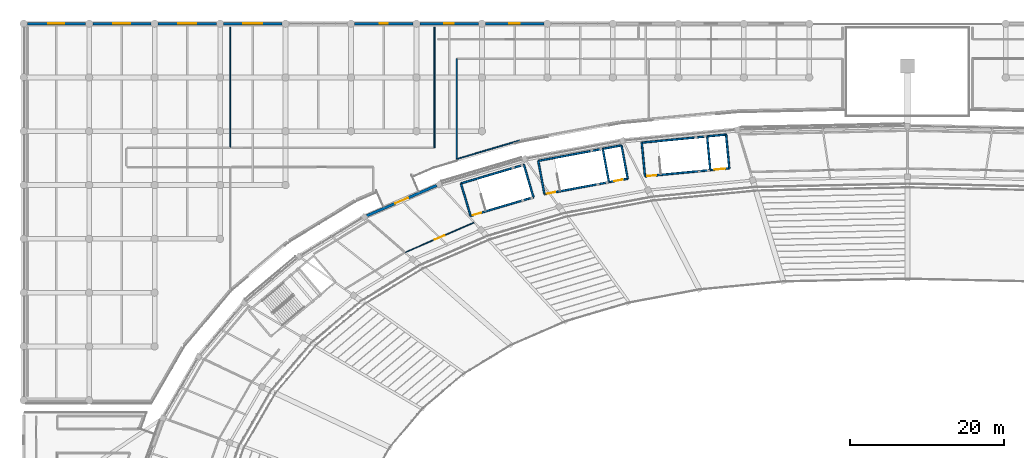
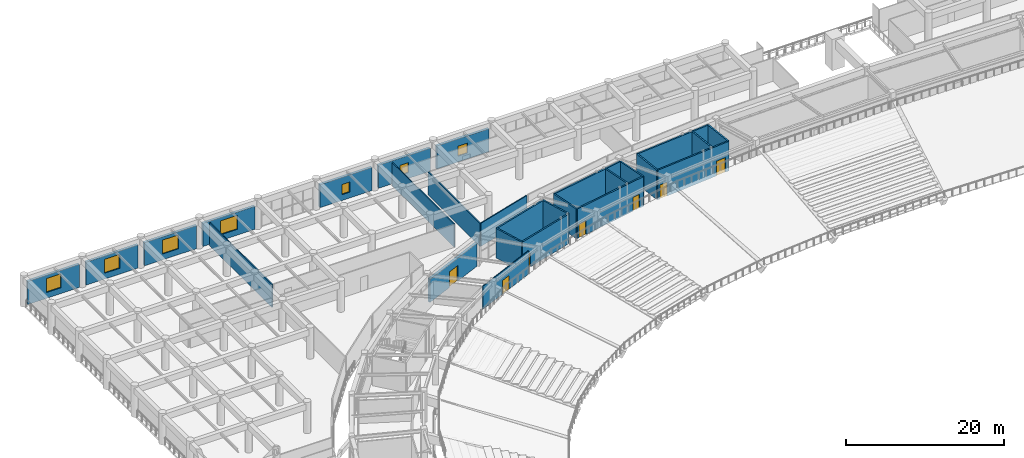
# One storey, part 103 of 137: 27 walls, 7 doors, 7 windows, 14 openings.
"""IFC4 building model written with IfcOpenShell, lengths in metres."""

import ifcopenshell
import ifcopenshell.guid

model = None  # the IFC model being written
_history = None  # IfcOwnerHistory: only IFC2X3 demands one
_inside = {}  # id of a spatial element -> (the spatial element, [elements in it])
_under = {}  # id of a project, library or spatial element -> (it, [spatial elements below it])
_declared = {}  # id of a project -> (the project, [libraries it declares])
_typed = {}  # id of a type object -> (the type object, [elements of that type])
_made_of = {}  # id of a material, layer set ... -> (it, [elements and type objects made of it])


def new_model(schema):
    """Start an empty IFC model of exactly this schema.

    Asked for "IFC4X3", IfcOpenShell would pick the latest addendum, in which some entities
    have other attributes; the version numbers below select the first issue.
    IFC2X3 requires an IfcOwnerHistory on every rooted entity: one is made here for all.
    """
    global model, _history
    if schema == "IFC4X3":
        model = ifcopenshell.file(schema_version=(4, 3, 0, 0))
    else:
        model = ifcopenshell.file(schema=schema)
    _inside.clear()
    _under.clear()
    _declared.clear()
    _typed.clear()
    _made_of.clear()
    _history = None
    if model.schema == "IFC2X3":
        org = make("IfcOrganization", Name="unknown")
        user = make(
            "IfcPersonAndOrganization",
            ThePerson=make("IfcPerson", FamilyName="unknown"),
            TheOrganization=org,
        )
        app = make(
            "IfcApplication",
            ApplicationDeveloper=org,
            Version="unknown",
            ApplicationFullName="unknown",
            ApplicationIdentifier="unknown",
        )
        _history = make(
            "IfcOwnerHistory",
            OwningUser=user,
            OwningApplication=app,
            ChangeAction="ADDED",
            CreationDate=0,
        )
    return model


def make(cls, **values):
    """One entity of the class cls with the attributes given. An attribute that is None is left unset."""
    return model.create_entity(
        cls, **{name: value for name, value in values.items() if value is not None}
    )


def rooted(cls, **values):
    """An entity with a GlobalId (a new one), such as an element, a storey or a relation."""
    return make(cls, GlobalId=ifcopenshell.guid.new(), OwnerHistory=_history, **values)


def si_unit(unit_type, name, prefix=None):
    """IfcSIUnit, for example si_unit("LENGTHUNIT", "METRE", prefix="MILLI")."""
    return make("IfcSIUnit", UnitType=unit_type, Prefix=prefix, Name=name)


def assignment(units):
    """IfcUnitAssignment: the units of a project."""
    return None if units is None else make("IfcUnitAssignment", Units=units)


def point(xyz):
    """IfcCartesianPoint."""
    return None if xyz is None else make("IfcCartesianPoint", Coordinates=xyz)


def direction(xyz):
    """IfcDirection."""
    return None if xyz is None else make("IfcDirection", DirectionRatios=xyz)


def frame(location, z_axis=None, x_axis=None):
    """IfcAxis2Placement3D, a coordinate frame: its origin and axes. An axis left out is left unset."""
    return make(
        "IfcAxis2Placement3D",
        Location=point(location),
        Axis=direction(z_axis),
        RefDirection=direction(x_axis),
    )


def frame_2d(location, x_axis=None):
    """IfcAxis2Placement2D, a coordinate frame in the plane: its origin and x axis."""
    return make(
        "IfcAxis2Placement2D", Location=point(location), RefDirection=direction(x_axis)
    )


def origin():
    """The frame at (0, 0, 0) with its axes left unset."""
    return frame((0.0, 0.0, 0.0))


def place(relative_to, where):
    """IfcLocalPlacement: puts the frame where relative to a parent placement (None: the world)."""
    return make(
        "IfcLocalPlacement", PlacementRelTo=relative_to, RelativePlacement=where
    )


def context(
    kind, dimensions, precision=None, world=None, true_north=None, identifier=None
):
    """IfcGeometricRepresentationContext, for example the 3D "Model" context."""
    return make(
        "IfcGeometricRepresentationContext",
        ContextIdentifier=identifier,
        ContextType=kind,
        CoordinateSpaceDimension=dimensions,
        Precision=precision,
        WorldCoordinateSystem=world,
        TrueNorth=true_north,
    )


def subcontext(parent, identifier, kind, view, scale=None):
    """IfcGeometricRepresentationSubContext, for example "Body" below "Model"."""
    return make(
        "IfcGeometricRepresentationSubContext",
        ContextIdentifier=identifier,
        ContextType=kind,
        ParentContext=parent,
        TargetScale=scale,
        TargetView=view,
    )


def project(units=None, contexts=None):
    """IfcProject with its units and contexts."""
    return rooted(
        "IfcProject",
        Name="project",
        RepresentationContexts=contexts,
        UnitsInContext=assignment(units),
    )


def spatial(cls, under=None, at=None, **own):
    """A site, building, storey or space (cls), placed at a placement, below another one or the project."""
    s = rooted(cls, ObjectPlacement=at, **own)
    if under is not None:
        _under.setdefault(under.id(), (under, []))[1].append(s)
    return s


def profile(cls, at=None, kind="AREA", **sizes):
    """A parametric profile (cls). Its sizes go by their IFC names, for example OverallWidth=200.0."""
    return make(cls, ProfileType=kind, Position=at, **sizes)


def rectangle(**sizes):
    """IfcRectangleProfileDef."""
    return profile("IfcRectangleProfileDef", **sizes)


def extrude(swept, where, along, depth):
    """IfcExtrudedAreaSolid: the profile swept, set in the frame where, extruded along a direction by depth."""
    return make(
        "IfcExtrudedAreaSolid",
        SweptArea=swept,
        Position=where,
        ExtrudedDirection=direction(along),
        Depth=depth,
    )


def shape(context_of_items, identifier, shape_type, items):
    """IfcShapeRepresentation: the items that make up one representation, for example the "Body"."""
    return make(
        "IfcShapeRepresentation",
        ContextOfItems=context_of_items,
        RepresentationIdentifier=identifier,
        RepresentationType=shape_type,
        Items=items,
    )


def material(Name=None, Category=None):
    """IfcMaterial."""
    return make("IfcMaterial", Name=Name, Category=Category)


def layer(
    of_material, thickness, ventilated=None, Name=None, Category=None, Priority=None
):
    """IfcMaterialLayer: one layer of a wall or slab, of a material (None: an air gap)."""
    return make(
        "IfcMaterialLayer",
        Material=of_material,
        LayerThickness=thickness,
        IsVentilated=ventilated,
        Name=Name,
        Category=Category,
        Priority=Priority,
    )


def layer_set(layers, Name=None):
    """IfcMaterialLayerSet."""
    return make("IfcMaterialLayerSet", MaterialLayers=layers, LayerSetName=Name)


def made_of(thing, what):
    """Note that an element or type object is made of a material, layer set ...; save() writes the relation."""
    if what is not None:
        _made_of.setdefault(what.id(), (what, []))[1].append(thing)
    return thing


def type_object(cls, material=None, **own):
    """A type object (cls), such as IfcWallType, which elements share."""
    return made_of(rooted(cls, **own), material)


def element(
    cls,
    number,
    at=None,
    inside=None,
    cuts=None,
    type_object=None,
    material=None,
    context=None,
    identifier="Body",
    shape_type=None,
    held_by="IfcProductDefinitionShape",
    body=None,
    shapes=None,
    **own,
):
    """One element of the class cls, such as IfcWall. Its Tag is "e" and its number.

    at: its placement. inside: the storey or other place that contains it. cuts: it is an
    opening in that element (IfcRelVoidsElement). A single representation is given by context,
    identifier, shape_type and body (its items); several are given by shapes. held_by: the class
    of the entity that holds the representations. save() writes the other relations.
    """
    e = rooted(cls, Tag="e%d" % number, ObjectPlacement=at, **own)
    if body is not None:
        shapes = [shape(context, identifier, shape_type, body)]
    if shapes is not None:
        e.Representation = make(held_by, Representations=shapes)
    if inside is not None:
        _inside.setdefault(inside.id(), (inside, []))[1].append(e)
    if cuts is not None:
        rooted(
            "IfcRelVoidsElement", RelatingBuildingElement=cuts, RelatedOpeningElement=e
        )
    if type_object is not None:
        _typed.setdefault(type_object.id(), (type_object, []))[1].append(e)
    return made_of(e, material)


def fill(opening, filler):
    """IfcRelFillsElement: the door or window that sits in an opening."""
    return rooted(
        "IfcRelFillsElement",
        RelatingOpeningElement=opening,
        RelatedBuildingElement=filler,
    )


def aggregate(whole, parts):
    """IfcRelAggregates: a whole, such as a stair, and the parts it consists of."""
    return rooted("IfcRelAggregates", RelatingObject=whole, RelatedObjects=parts)


def save(model, path):
    """Write the relations noted so far, then the file.

    IfcRelAggregates (storeys below a building ...), IfcRelContainedInSpatialStructure (elements
    in a storey), IfcRelDefinesByType, IfcRelAssociatesMaterial and IfcRelDeclares: one each for
    every whole, place, type object, material and project.
    """
    for whole, parts in _under.values():
        aggregate(whole, parts)
    for where, things in _inside.values():
        rooted(
            "IfcRelContainedInSpatialStructure",
            RelatedElements=things,
            RelatingStructure=where,
        )
    for kind, things in _typed.values():
        rooted("IfcRelDefinesByType", RelatedObjects=things, RelatingType=kind)
    for what, things in _made_of.values():
        rooted("IfcRelAssociatesMaterial", RelatedObjects=things, RelatingMaterial=what)
    for by, libraries in _declared.values():
        rooted("IfcRelDeclares", RelatingContext=by, RelatedDefinitions=libraries)
    model.write(path)


model = new_model("IFC4")

# Units and contexts
model_context = context("Model", 3, precision=1e-05, world=origin(), true_north=direction((0.0, 1.0)))
body_context = subcontext(model_context, "Body", "Model", "MODEL_VIEW")
ifc_project = project(units=[si_unit("LENGTHUNIT", "METRE"), si_unit("AREAUNIT", "SQUARE_METRE"), si_unit("VOLUMEUNIT", "CUBIC_METRE"), si_unit("PLANEANGLEUNIT", "RADIAN"), si_unit("MASSUNIT", "GRAM", prefix="KILO")], contexts=[model_context])

# Site, building, storey
site_placement = place(None, origin())
site = spatial("IfcSite", under=ifc_project, at=site_placement, CompositionType="ELEMENT")
building_placement = place(site_placement, origin())
building = spatial("IfcBuilding", under=site, at=building_placement, Name="Mphavela Belvedere Stadium", CompositionType="ELEMENT")
storey_placement = place(building_placement, frame((0.0, 0.0, 19.199951171875)))
storey = spatial("IfcBuildingStorey", under=building, at=storey_placement, Name="L04", CompositionType="ELEMENT", Elevation=19.199951171875)

# Walls
ifc_material_1 = material(Name="Concrete C40/50", Category="concrete")
ifc_layer_1 = layer(ifc_material_1, 0.219970703125)
ifc_layer_set_1 = layer_set([ifc_layer_1], Name="Concrete C40/50")
wall_type_1 = type_object("IfcWallType", Name="WAL-CORE-SHEAR-220", PredefinedType="SHEAR", material=ifc_layer_set_1)
wall_1_placement = place(storey_placement, frame((66.955322265625, 156.146728515625, 0.0), z_axis=(0.0, 0.0, 1.0), x_axis=(0.983093434234, 0.183104613723, 0.0)))
element("IfcWall", 1, at=wall_1_placement, inside=storey, type_object=wall_type_1, Name="Core C02 shear wall L04 rear", PredefinedType="SHEAR", context=body_context, shape_type="SweptSolid", body=[
    extrude(rectangle(XDim=11.02001953125, YDim=0.219970703125, at=frame_2d((5.510009765625, 0.0))), origin(), (0.0, 0.0, 1.0), 4.550048828125),
])
for number, where, z_axis, x_axis, name in (
    (2, (67.7626953125, 151.811279296875, 0.0), (0.0, 0.0, 1.0), (-0.183078394814, 0.983098317236, 0.0), "Core C02 shear wall L04 left"),
    (3, (78.596435546875, 153.8291015625, 0.0), (0.0, 0.0, 1.0), (-0.183078394814, 0.983098317236, 0.0), "Core C02 shear wall L04 right"),
):
    element("IfcWall", number, at=place(storey_placement, frame(where, z_axis=z_axis, x_axis=x_axis)), inside=storey, type_object=wall_type_1, Name=name, PredefinedType="SHEAR", context=body_context, shape_type="SweptSolid", body=[
        extrude(rectangle(XDim=4.409912109375, YDim=0.219970703125, at=frame_2d((2.205078125, 0.0))), origin(), (0.0, 0.0, 1.0), 4.550048828125),
    ])

# Wall, openings, doors
wall_2_placement = place(storey_placement, frame((67.7626953125, 151.811279296875, 0.0), z_axis=(0.0, 0.0, 1.0), x_axis=(0.983093434234, 0.183104613723, 0.0)))
wall_2 = element("IfcWall", 4, at=wall_2_placement, inside=storey, type_object=wall_type_1, Name="Core C02 shear wall L04 front", PredefinedType="SHEAR", context=body_context, shape_type="SweptSolid", body=[
    extrude(rectangle(XDim=11.02001953125, YDim=0.219970703125, at=frame_2d((5.510009765625, 0.0))), origin(), (0.0, 0.0, 1.0), 4.550048828125),
])
opening_1_placement = place(wall_2_placement, frame((0.300048828125, 0.0, 0.0)))
opening_1 = element("IfcOpeningElement", 5, at=opening_1_placement, cuts=wall_2, Name="Opening SD-010", PredefinedType="OPENING", context=body_context, shape_type="SweptSolid", body=[
    extrude(rectangle(XDim=1.14990234375, YDim=2.14990234375, at=frame_2d((0.574951171875, 1.074951171875))), frame((0.0, 0.1201171875, 0.0), z_axis=(0.0, -1.0, 0.0), x_axis=(1.0, 0.0, 0.0)), (0.0, 0.0, 1.0), 0.239990234375),
])
opening_2_placement = place(wall_2_placement, frame((9.22998046875, 0.0, 0.0)))
opening_2 = element("IfcOpeningElement", 6, at=opening_2_placement, cuts=wall_2, Name="Opening LD-010", PredefinedType="OPENING", context=body_context, shape_type="SweptSolid", body=[
    extrude(rectangle(XDim=1.10009765625, YDim=2.14990234375, at=frame_2d((0.550048828125, 1.074951171875))), frame((0.0, 0.1201171875, 0.0), z_axis=(0.0, -1.0, 0.0), x_axis=(1.0, 0.0, 0.0)), (0.0, 0.0, 1.0), 0.239990234375),
])
ifc_material_2 = material(Name="Stainless steel center-parting lift landing door", Category="steel")
door_type_1 = type_object("IfcDoorType", Name="DR-LIFT-SLIDE-1100", OperationType="NOTDEFINED", PredefinedType="DOOR", material=ifc_material_2)
door_1_placement = place(opening_2_placement, origin())
door_1 = element("IfcDoor", 7, at=door_1_placement, inside=storey, type_object=door_type_1, Name="Lift landing sliding door PL01 L04", OperationType="DOUBLE_DOOR_SLIDING", OverallHeight=2.14990234375, OverallWidth=1.10009765625, PredefinedType="DOOR", context=body_context, shape_type="SweptSolid", body=[
    extrude(rectangle(XDim=1.10009765625, YDim=2.14990234375, at=frame_2d((0.550048828125, 1.074951171875))), frame((0.0, 0.02490234375, 0.0), z_axis=(0.0, -1.0, 0.0), x_axis=(1.0, 0.0, 0.0)), (0.0, 0.0, 1.0), 0.050048828125),
])
fill(opening_2, door_1)
ifc_material_3 = material(Name="Steel acoustic fire-resisting stair doorset", Category="steel")
door_type_2 = type_object("IfcDoorType", Name="DR-STAIR-FIRE-1150", OperationType="NOTDEFINED", PredefinedType="DOOR", material=ifc_material_3)
door_2_placement = place(opening_1_placement, origin())
door_2 = element("IfcDoor", 8, at=door_2_placement, inside=storey, type_object=door_type_2, Name="Escape stair fire door C02 L04", OperationType="SINGLE_SWING_LEFT", OverallHeight=2.14990234375, OverallWidth=1.14990234375, PredefinedType="DOOR", context=body_context, shape_type="SweptSolid", body=[
    extrude(rectangle(XDim=1.14990234375, YDim=2.14990234375, at=frame_2d((0.574951171875, 1.074951171875))), frame((0.0, 0.02490234375, 0.0), z_axis=(0.0, -1.0, 0.0), x_axis=(1.0, 0.0, 0.0)), (0.0, 0.0, 1.0), 0.050048828125),
])
fill(opening_1, door_2)

# Walls
wall_3_placement = place(storey_placement, frame((76.158447265625, 153.375, 0.0), z_axis=(0.0, 0.0, 1.0), x_axis=(-0.183078394814, 0.983098317236, 0.0)))
element("IfcWall", 9, at=wall_3_placement, inside=storey, type_object=wall_type_1, Name="Core C02 shear wall L04 div", PredefinedType="SHEAR", context=body_context, shape_type="SweptSolid", body=[
    extrude(rectangle(XDim=4.409912109375, YDim=0.219970703125, at=frame_2d((2.205078125, 0.0))), origin(), (0.0, 0.0, 1.0), 4.550048828125),
])
wall_4_placement = place(storey_placement, frame((80.424072265625, 158.5205078125, 0.0), z_axis=(0.0, 0.0, 1.0), x_axis=(0.99547962713, 0.094975322952, 0.0)))
element("IfcWall", 10, at=wall_4_placement, inside=storey, type_object=wall_type_1, Name="Core C04 shear wall L04 rear", PredefinedType="SHEAR", context=body_context, shape_type="SweptSolid", body=[
    extrude(rectangle(XDim=11.02001953125, YDim=0.219970703125, at=frame_2d((5.510009765625, 0.0))), origin(), (0.0, 0.0, 1.0), 4.550048828125),
])
for number, where, z_axis, x_axis, name in (
    (11, (80.843017578125, 154.13037109375, 0.0), (0.0, 0.0, 1.0), (-0.094997189401, 0.995477540684, 0.0), "Core C04 shear wall L04 left"),
    (12, (91.81298828125, 155.177001953125, 0.0), (0.0, 0.0, 1.0), (-0.094942328893, 0.995482774429, 0.0), "Core C04 shear wall L04 right"),
):
    element("IfcWall", number, at=place(storey_placement, frame(where, z_axis=z_axis, x_axis=x_axis)), inside=storey, type_object=wall_type_1, Name=name, PredefinedType="SHEAR", context=body_context, shape_type="SweptSolid", body=[
        extrude(rectangle(XDim=4.41015625, YDim=0.219970703125, at=frame_2d((2.205078125, 0.0))), origin(), (0.0, 0.0, 1.0), 4.550048828125),
    ])

# Wall, openings, doors
wall_5_placement = place(storey_placement, frame((80.843017578125, 154.13037109375, 0.0), z_axis=(0.0, 0.0, 1.0), x_axis=(0.995479427285, 0.094977417594, 0.0)))
wall_5 = element("IfcWall", 13, at=wall_5_placement, inside=storey, type_object=wall_type_1, Name="Core C04 shear wall L04 front", PredefinedType="SHEAR", context=body_context, shape_type="SweptSolid", body=[
    extrude(rectangle(XDim=11.019775390625, YDim=0.219970703125, at=frame_2d((5.509765625, 0.0))), origin(), (0.0, 0.0, 1.0), 4.550048828125),
])
opening_3_placement = place(wall_5_placement, frame((0.300048828125, 0.0, 0.0)))
opening_3 = element("IfcOpeningElement", 14, at=opening_3_placement, cuts=wall_5, Name="Opening SD-020", PredefinedType="OPENING", context=body_context, shape_type="SweptSolid", body=[
    extrude(rectangle(XDim=1.14990234375, YDim=2.14990234375, at=frame_2d((0.574951171875, 1.074951171875))), frame((0.0, 0.1201171875, 0.0), z_axis=(0.0, -1.0, 0.0), x_axis=(1.0, 0.0, 0.0)), (0.0, 0.0, 1.0), 0.239990234375),
])
opening_4_placement = place(wall_5_placement, frame((9.080078125, 0.0, 0.0)))
opening_4 = element("IfcOpeningElement", 15, at=opening_4_placement, cuts=wall_5, Name="Opening LD-020", PredefinedType="OPENING", context=body_context, shape_type="SweptSolid", body=[
    extrude(rectangle(XDim=1.39990234375, YDim=2.25, at=frame_2d((0.699951171875, 1.125))), frame((0.0, 0.1201171875, 0.0), z_axis=(0.0, -1.0, 0.0), x_axis=(1.0, 0.0, 0.0)), (0.0, 0.0, 1.0), 0.239990234375),
])
ifc_material_4 = material(Name="Heavy-duty stainless steel goods lift landing door", Category="steel")
door_type_3 = type_object("IfcDoorType", Name="DR-LIFT-SLIDE-1400", OperationType="NOTDEFINED", PredefinedType="DOOR", material=ifc_material_4)
door_3_placement = place(opening_4_placement, origin())
door_3 = element("IfcDoor", 16, at=door_3_placement, inside=storey, type_object=door_type_3, Name="Lift landing sliding door GL01 L04", OperationType="DOUBLE_DOOR_SLIDING", OverallHeight=2.25, OverallWidth=1.39990234375, PredefinedType="DOOR", context=body_context, shape_type="SweptSolid", body=[
    extrude(rectangle(XDim=1.39990234375, YDim=2.25, at=frame_2d((0.699951171875, 1.125))), frame((0.0, 0.02490234375, 0.0), z_axis=(0.0, -1.0, 0.0), x_axis=(1.0, 0.0, 0.0)), (0.0, 0.0, 1.0), 0.050048828125),
])
fill(opening_4, door_3)
door_4_placement = place(opening_3_placement, origin())
door_4 = element("IfcDoor", 17, at=door_4_placement, inside=storey, type_object=door_type_2, Name="Escape stair fire door C04 L04", OperationType="SINGLE_SWING_RIGHT", OverallHeight=2.14990234375, OverallWidth=1.14990234375, PredefinedType="DOOR", context=body_context, shape_type="SweptSolid", body=[
    extrude(rectangle(XDim=1.14990234375, YDim=2.14990234375, at=frame_2d((0.574951171875, 1.074951171875))), frame((0.0, 0.02490234375, 0.0), z_axis=(0.0, -1.0, 0.0), x_axis=(1.0, 0.0, 0.0)), (0.0, 0.0, 1.0), 0.050048828125),
])
fill(opening_3, door_4)

# Walls
wall_6_placement = place(storey_placement, frame((89.34423828125, 154.94140625, 0.0), z_axis=(0.0, 0.0, 1.0), x_axis=(-0.094942328893, 0.995482774429, 0.0)))
element("IfcWall", 18, at=wall_6_placement, inside=storey, type_object=wall_type_1, Name="Core C04 shear wall L04 div", PredefinedType="SHEAR", context=body_context, shape_type="SweptSolid", body=[
    extrude(rectangle(XDim=4.41015625, YDim=0.219970703125, at=frame_2d((2.205078125, 0.0))), origin(), (0.0, 0.0, 1.0), 4.550048828125),
])
wall_7_placement = place(storey_placement, frame((56.89501953125, 153.214111328125, 0.0), z_axis=(0.0, 0.0, 1.0), x_axis=(0.958675743706, 0.284500998997, 0.0)))
element("IfcWall", 19, at=wall_7_placement, inside=storey, type_object=wall_type_1, Name="Core P03 shear wall L04 rear", PredefinedType="SHEAR", context=body_context, shape_type="SweptSolid", body=[
    extrude(rectangle(XDim=8.540283203125, YDim=0.219970703125, at=frame_2d((4.27001953125, 0.0))), origin(), (0.0, 0.0, 1.0), 4.550048828125),
])
wall_8_placement = place(storey_placement, frame((58.14990234375, 148.986083984375, 0.0), z_axis=(0.0, 0.0, 1.0), x_axis=(-0.284533106789, 0.958666214665, 0.0)))
element("IfcWall", 20, at=wall_8_placement, inside=storey, type_object=wall_type_1, Name="Core P03 shear wall L04 left", PredefinedType="SHEAR", context=body_context, shape_type="SweptSolid", body=[
    extrude(rectangle(XDim=4.410400390625, YDim=0.219970703125, at=frame_2d((2.205078125, 0.0))), origin(), (0.0, 0.0, 1.0), 4.550048828125),
])
wall_9_placement = place(storey_placement, frame((66.3369140625, 151.416015625, 0.0), z_axis=(0.0, 0.0, 1.0), x_axis=(-0.284497328872, 0.958676832861, 0.0)))
element("IfcWall", 21, at=wall_9_placement, inside=storey, type_object=wall_type_1, Name="Core P03 shear wall L04 right", PredefinedType="SHEAR", context=body_context, shape_type="SweptSolid", body=[
    extrude(rectangle(XDim=4.409912109375, YDim=0.219970703125, at=frame_2d((2.205078125, 0.0))), origin(), (0.0, 0.0, 1.0), 4.550048828125),
])

# Wall, opening, door
wall_10_placement = place(storey_placement, frame((58.14990234375, 148.986083984375, 0.0), z_axis=(0.0, 0.0, 1.0), x_axis=(0.958665631999, 0.284535069937, 0.0)))
wall_10 = element("IfcWall", 22, at=wall_10_placement, inside=storey, type_object=wall_type_1, Name="Core P03 shear wall L04 front", PredefinedType="SHEAR", context=body_context, shape_type="SweptSolid", body=[
    extrude(rectangle(XDim=8.5400390625, YDim=0.219970703125, at=frame_2d((4.27001953125, 0.0))), origin(), (0.0, 0.0, 1.0), 4.550048828125),
])
opening_5_placement = place(wall_10_placement, frame((0.300048828125, 0.0, 0.0)))
opening_5 = element("IfcOpeningElement", 23, at=opening_5_placement, cuts=wall_10, Name="Opening SD-081", PredefinedType="OPENING", context=body_context, shape_type="SweptSolid", body=[
    extrude(rectangle(XDim=1.14990234375, YDim=2.14990234375, at=frame_2d((0.574951171875, 1.074951171875))), frame((0.0, 0.1201171875, 0.0), z_axis=(0.0, -1.0, 0.0), x_axis=(1.0, 0.0, 0.0)), (0.0, 0.0, 1.0), 0.239990234375),
])
door_5_placement = place(opening_5_placement, origin())
door_5 = element("IfcDoor", 24, at=door_5_placement, inside=storey, type_object=door_type_2, Name="Escape stair fire door P03 L04", OperationType="SINGLE_SWING_LEFT", OverallHeight=2.14990234375, OverallWidth=1.14990234375, PredefinedType="DOOR", context=body_context, shape_type="SweptSolid", body=[
    extrude(rectangle(XDim=1.14990234375, YDim=2.14990234375, at=frame_2d((0.574951171875, 1.074951171875))), frame((0.0, 0.02490234375, 0.0), z_axis=(0.0, -1.0, 0.0), x_axis=(1.0, 0.0, 0.0)), (0.0, 0.0, 1.0), 0.050048828125),
])
fill(opening_5, door_5)

ifc_material_5 = material(Name="Honed ashlar limestone masonry", Category="masonry")
ifc_layer_2 = layer(ifc_material_5, 0.35009765625)
ifc_layer_set_2 = layer_set([ifc_layer_2], Name="Honed ashlar limestone masonry")
wall_type_2 = type_object("IfcWallType", Name="WAL-EXT-ASHLAR-350", PredefinedType="STANDARD", material=ifc_layer_set_2)
wall_11_placement = place(storey_placement, frame((44.623046875, 148.999267578125, 0.0), z_axis=(0.0, 0.0, 1.0), x_axis=(0.917498268626, 0.397739773052, 0.0)))
wall_11 = element("IfcWall", 25, at=wall_11_placement, inside=storey, type_object=wall_type_2, Name="Classical link portal wall L04-17", PredefinedType="STANDARD", context=body_context, shape_type="SweptSolid", body=[
    extrude(rectangle(XDim=9.940185546875, YDim=0.35009765625, at=frame_2d((4.97021484375, 0.0))), origin(), (0.0, 0.0, 1.0), 3.570068359375),
])
opening_6_placement = place(wall_11_placement, frame((4.070068359375, 0.0, 0.0)))
opening_6 = element("IfcOpeningElement", 26, at=opening_6_placement, cuts=wall_11, Name="Opening ID-9416", PredefinedType="OPENING", context=body_context, shape_type="SweptSolid", body=[
    extrude(rectangle(XDim=1.800048828125, YDim=2.39990234375, at=frame_2d((0.89990234375, 1.199951171875))), frame((0.0, 0.18505859375, 0.0), z_axis=(0.0, -1.0, 0.0), x_axis=(1.0, 0.0, 0.0)), (0.0, 0.0, 1.0), 0.3701171875),
])
ifc_material_6 = material(Name="Glazed bronze-anodised steel exit doorset", Category="steel")
door_type_4 = type_object("IfcDoorType", Name="DR-EXT-01", OperationType="NOTDEFINED", PredefinedType="DOOR", material=ifc_material_6)
door_6_placement = place(opening_6_placement, origin())
door_6 = element("IfcDoor", 27, at=door_6_placement, inside=storey, type_object=door_type_4, Name="Wing promenade link doorset L04-17", OperationType="DOUBLE_DOOR_SINGLE_SWING", OverallHeight=2.39990234375, OverallWidth=1.800048828125, PredefinedType="DOOR", context=body_context, shape_type="SweptSolid", body=[
    extrude(rectangle(XDim=1.800048828125, YDim=2.39990234375, at=frame_2d((0.89990234375, 1.199951171875))), frame((0.0, 0.02490234375, 0.0), z_axis=(0.0, -1.0, 0.0), x_axis=(1.0, 0.0, 0.0)), (0.0, 0.0, 1.0), 0.050048828125),
])
fill(opening_6, door_6)

# Wall, opening, window
wall_12_placement = place(storey_placement, frame((0.472900390625, 174.0, 0.0), z_axis=(0.0, 0.0, 1.0), x_axis=(1.0, 0.0, 0.0)))
wall_12 = element("IfcWall", 28, at=wall_12_placement, inside=storey, type_object=wall_type_2, Name="North Mast and Ceremonial End Forecourt outer facade bay L04-01", PredefinedType="STANDARD", context=body_context, shape_type="SweptSolid", body=[
    extrude(rectangle(XDim=7.572998046875, YDim=0.35009765625, at=frame_2d((3.78662109375, 0.0))), origin(), (0.0, 0.0, 1.0), 3.56005859375),
])
opening_7_placement = place(wall_12_placement, frame((2.74658203125, 0.0, 0.89990234375)))
opening_7 = element("IfcOpeningElement", 29, at=opening_7_placement, cuts=wall_12, Name="Opening W-217", PredefinedType="OPENING", context=body_context, shape_type="SweptSolid", body=[
    extrude(rectangle(XDim=2.080078125, YDim=2.14990234375, at=frame_2d((1.0400390625, 1.074951171875))), frame((0.0, 0.18505859375, 0.0), z_axis=(0.0, -1.0, 0.0), x_axis=(1.0, 0.0, 0.0)), (0.0, 0.0, 1.0), 0.3701171875),
])
ifc_material_7 = material(Name="Bronze-anodised thermally broken aluminium window", Category="aluminium")
window_type_1 = type_object("IfcWindowType", Name="WIN-EXT-41", PartitioningType="SINGLE_PANEL", PredefinedType="WINDOW", material=ifc_material_7)
window_1_placement = place(opening_7_placement, origin())
window_1 = element("IfcWindow", 30, at=window_1_placement, inside=storey, type_object=window_type_1, Name="North Mast and Ceremonial End Forecourt classical window W-217", OverallHeight=2.14990234375, OverallWidth=2.080078125, PartitioningType="SINGLE_PANEL", PredefinedType="WINDOW", context=body_context, shape_type="SweptSolid", body=[
    extrude(rectangle(XDim=2.080078125, YDim=2.14990234375, at=frame_2d((1.0400390625, 1.074951171875))), frame((0.0, 0.030029296875, 0.0), z_axis=(0.0, -1.0, 0.0), x_axis=(1.0, 0.0, 0.0)), (0.0, 0.0, 1.0), 0.06005859375),
])
fill(opening_7, window_1)

wall_13_placement = place(storey_placement, frame((8.991943359375, 174.0, 0.0), z_axis=(0.0, 0.0, 1.0), x_axis=(1.0, 0.0, 0.0)))
wall_13 = element("IfcWall", 31, at=wall_13_placement, inside=storey, type_object=wall_type_2, Name="North Mast and Ceremonial End Forecourt outer facade bay L04-02", PredefinedType="STANDARD", context=body_context, shape_type="SweptSolid", body=[
    extrude(rectangle(XDim=7.572021484375, YDim=0.35009765625, at=frame_2d((3.7861328125, 0.0))), origin(), (0.0, 0.0, 1.0), 3.56005859375),
])
opening_8_placement = place(wall_13_placement, frame((2.676025390625, 0.0, 0.89990234375)))
opening_8 = element("IfcOpeningElement", 32, at=opening_8_placement, cuts=wall_13, Name="Opening W-218", PredefinedType="OPENING", context=body_context, shape_type="SweptSolid", body=[
    extrude(rectangle(XDim=2.219970703125, YDim=2.14990234375, at=frame_2d((1.10986328125, 1.074951171875))), frame((0.0, 0.18505859375, 0.0), z_axis=(0.0, -1.0, 0.0), x_axis=(1.0, 0.0, 0.0)), (0.0, 0.0, 1.0), 0.3701171875),
])
ifc_material_8 = material(Name="Bronze-anodised thermally broken aluminium window", Category="aluminium")
window_type_2 = type_object("IfcWindowType", Name="WIN-EXT-42", PartitioningType="SINGLE_PANEL", PredefinedType="WINDOW", material=ifc_material_8)
window_2_placement = place(opening_8_placement, origin())
window_2 = element("IfcWindow", 33, at=window_2_placement, inside=storey, type_object=window_type_2, Name="North Mast and Ceremonial End Forecourt classical window W-218", OverallHeight=2.14990234375, OverallWidth=2.219970703125, PartitioningType="SINGLE_PANEL", PredefinedType="WINDOW", context=body_context, shape_type="SweptSolid", body=[
    extrude(rectangle(XDim=2.219970703125, YDim=2.14990234375, at=frame_2d((1.10986328125, 1.074951171875))), frame((0.0, 0.030029296875, 0.0), z_axis=(0.0, -1.0, 0.0), x_axis=(1.0, 0.0, 0.0)), (0.0, 0.0, 1.0), 0.06005859375),
])
fill(opening_8, window_2)

wall_14_placement = place(storey_placement, frame((17.510009765625, 174.0, 0.0), z_axis=(0.0, 0.0, 1.0), x_axis=(1.0, 0.0, 0.0)))
wall_14 = element("IfcWall", 34, at=wall_14_placement, inside=storey, type_object=wall_type_2, Name="North Mast and Ceremonial End Forecourt outer facade bay L04-03", PredefinedType="STANDARD", context=body_context, shape_type="SweptSolid", body=[
    extrude(rectangle(XDim=7.572998046875, YDim=0.35009765625, at=frame_2d((3.78662109375, 0.0))), origin(), (0.0, 0.0, 1.0), 3.56005859375),
])
opening_9_placement = place(wall_14_placement, frame((2.6064453125, 0.0, 0.89990234375)))
opening_9 = element("IfcOpeningElement", 35, at=opening_9_placement, cuts=wall_14, Name="Opening W-219", PredefinedType="OPENING", context=body_context, shape_type="SweptSolid", body=[
    extrude(rectangle(XDim=2.360107421875, YDim=2.14990234375, at=frame_2d((1.18017578125, 1.074951171875))), frame((0.0, 0.18505859375, 0.0), z_axis=(0.0, -1.0, 0.0), x_axis=(1.0, 0.0, 0.0)), (0.0, 0.0, 1.0), 0.3701171875),
])
ifc_material_9 = material(Name="Bronze-anodised thermally broken aluminium window", Category="aluminium")
window_type_3 = type_object("IfcWindowType", Name="WIN-EXT-43", PartitioningType="SINGLE_PANEL", PredefinedType="WINDOW", material=ifc_material_9)
window_3_placement = place(opening_9_placement, origin())
window_3 = element("IfcWindow", 36, at=window_3_placement, inside=storey, type_object=window_type_3, Name="North Mast and Ceremonial End Forecourt classical window W-219", OverallHeight=2.14990234375, OverallWidth=2.360107421875, PartitioningType="SINGLE_PANEL", PredefinedType="WINDOW", context=body_context, shape_type="SweptSolid", body=[
    extrude(rectangle(XDim=2.360107421875, YDim=2.14990234375, at=frame_2d((1.18017578125, 1.074951171875))), frame((0.0, 0.030029296875, 0.0), z_axis=(0.0, -1.0, 0.0), x_axis=(1.0, 0.0, 0.0)), (0.0, 0.0, 1.0), 0.06005859375),
])
fill(opening_9, window_3)

wall_15_placement = place(storey_placement, frame((26.029052734375, 174.0, 0.0), z_axis=(0.0, 0.0, 1.0), x_axis=(1.0, 0.0, 0.0)))
wall_15 = element("IfcWall", 37, at=wall_15_placement, inside=storey, type_object=wall_type_2, Name="North Mast and Ceremonial End Forecourt outer facade bay L04-04", PredefinedType="STANDARD", context=body_context, shape_type="SweptSolid", body=[
    extrude(rectangle(XDim=7.572021484375, YDim=0.35009765625, at=frame_2d((3.7861328125, 0.0))), origin(), (0.0, 0.0, 1.0), 3.56005859375),
])
opening_10_placement = place(wall_15_placement, frame((2.52587890625, 0.0, 0.89990234375)))
opening_10 = element("IfcOpeningElement", 38, at=opening_10_placement, cuts=wall_15, Name="Opening W-220", PredefinedType="OPENING", context=body_context, shape_type="SweptSolid", body=[
    extrude(rectangle(XDim=2.52001953125, YDim=2.14990234375, at=frame_2d((1.260009765625, 1.074951171875))), frame((0.0, 0.18505859375, 0.0), z_axis=(0.0, -1.0, 0.0), x_axis=(1.0, 0.0, 0.0)), (0.0, 0.0, 1.0), 0.3701171875),
])
ifc_material_10 = material(Name="Bronze-anodised thermally broken aluminium window", Category="aluminium")
window_type_4 = type_object("IfcWindowType", Name="WIN-EXT-44", PartitioningType="SINGLE_PANEL", PredefinedType="WINDOW", material=ifc_material_10)
window_4_placement = place(opening_10_placement, origin())
window_4 = element("IfcWindow", 39, at=window_4_placement, inside=storey, type_object=window_type_4, Name="North Mast and Ceremonial End Forecourt classical window W-220", OverallHeight=2.14990234375, OverallWidth=2.52001953125, PartitioningType="SINGLE_PANEL", PredefinedType="WINDOW", context=body_context, shape_type="SweptSolid", body=[
    extrude(rectangle(XDim=2.52001953125, YDim=2.14990234375, at=frame_2d((1.260009765625, 1.074951171875))), frame((0.0, 0.030029296875, 0.0), z_axis=(0.0, -1.0, 0.0), x_axis=(1.0, 0.0, 0.0)), (0.0, 0.0, 1.0), 0.06005859375),
])
fill(opening_10, window_4)

wall_16_placement = place(storey_placement, frame((43.06591796875, 174.0, 0.0), z_axis=(0.0, 0.0, 1.0), x_axis=(1.0, 0.0, 0.0)))
wall_16 = element("IfcWall", 40, at=wall_16_placement, inside=storey, type_object=wall_type_2, Name="North Mast and Ceremonial End Forecourt outer facade bay L04-06", PredefinedType="STANDARD", context=body_context, shape_type="SweptSolid", body=[
    extrude(rectangle(XDim=7.572021484375, YDim=0.35009765625, at=frame_2d((3.7861328125, 0.0))), origin(), (0.0, 0.0, 1.0), 3.56005859375),
])
opening_11_placement = place(wall_16_placement, frame((3.236083984375, 0.0, 0.89990234375)))
opening_11 = element("IfcOpeningElement", 41, at=opening_11_placement, cuts=wall_16, Name="Opening W-221", PredefinedType="OPENING", context=body_context, shape_type="SweptSolid", body=[
    extrude(rectangle(XDim=1.10009765625, YDim=1.550048828125, at=frame_2d((0.550048828125, 0.77490234375))), frame((0.0, 0.18505859375, 0.0), z_axis=(0.0, -1.0, 0.0), x_axis=(1.0, 0.0, 0.0)), (0.0, 0.0, 1.0), 0.3701171875),
])
ifc_material_11 = material(Name="Bronze-anodised thermally broken aluminium window", Category="aluminium")
window_type_5 = type_object("IfcWindowType", Name="WIN-EXT-01", PartitioningType="SINGLE_PANEL", PredefinedType="WINDOW", material=ifc_material_11)
window_5_placement = place(opening_11_placement, origin())
window_5 = element("IfcWindow", 42, at=window_5_placement, inside=storey, type_object=window_type_5, Name="North Mast and Ceremonial End Forecourt classical window W-221", OverallHeight=1.550048828125, OverallWidth=1.10009765625, PartitioningType="SINGLE_PANEL", PredefinedType="WINDOW", context=body_context, shape_type="SweptSolid", body=[
    extrude(rectangle(XDim=1.10009765625, YDim=1.550048828125, at=frame_2d((0.550048828125, 0.77490234375))), frame((0.0, 0.030029296875, 0.0), z_axis=(0.0, -1.0, 0.0), x_axis=(1.0, 0.0, 0.0)), (0.0, 0.0, 1.0), 0.06005859375),
])
fill(opening_11, window_5)

wall_17_placement = place(storey_placement, frame((51.583984375, 174.0, 0.0), z_axis=(0.0, 0.0, 1.0), x_axis=(1.0, 0.0, 0.0)))
wall_17 = element("IfcWall", 43, at=wall_17_placement, inside=storey, type_object=wall_type_2, Name="North Mast and Ceremonial End Forecourt outer facade bay L04-07", PredefinedType="STANDARD", context=body_context, shape_type="SweptSolid", body=[
    extrude(rectangle(XDim=7.572998046875, YDim=0.35009765625, at=frame_2d((3.78662109375, 0.0))), origin(), (0.0, 0.0, 1.0), 3.56005859375),
])
opening_12_placement = place(wall_17_placement, frame((3.16650390625, 0.0, 0.89990234375)))
opening_12 = element("IfcOpeningElement", 44, at=opening_12_placement, cuts=wall_17, Name="Opening W-222", PredefinedType="OPENING", context=body_context, shape_type="SweptSolid", body=[
    extrude(rectangle(XDim=1.239990234375, YDim=1.550048828125, at=frame_2d((0.6201171875, 0.77490234375))), frame((0.0, 0.18505859375, 0.0), z_axis=(0.0, -1.0, 0.0), x_axis=(1.0, 0.0, 0.0)), (0.0, 0.0, 1.0), 0.3701171875),
])
ifc_material_12 = material(Name="Bronze-anodised thermally broken aluminium window", Category="aluminium")
window_type_6 = type_object("IfcWindowType", Name="WIN-EXT-02", PartitioningType="SINGLE_PANEL", PredefinedType="WINDOW", material=ifc_material_12)
window_6_placement = place(opening_12_placement, origin())
window_6 = element("IfcWindow", 45, at=window_6_placement, inside=storey, type_object=window_type_6, Name="North Mast and Ceremonial End Forecourt classical window W-222", OverallHeight=1.550048828125, OverallWidth=1.239990234375, PartitioningType="SINGLE_PANEL", PredefinedType="WINDOW", context=body_context, shape_type="SweptSolid", body=[
    extrude(rectangle(XDim=1.239990234375, YDim=1.550048828125, at=frame_2d((0.6201171875, 0.77490234375))), frame((0.0, 0.030029296875, 0.0), z_axis=(0.0, -1.0, 0.0), x_axis=(1.0, 0.0, 0.0)), (0.0, 0.0, 1.0), 0.06005859375),
])
fill(opening_12, window_6)

wall_18_placement = place(storey_placement, frame((60.10302734375, 174.0, 0.0), z_axis=(0.0, 0.0, 1.0), x_axis=(1.0, 0.0, 0.0)))
wall_18 = element("IfcWall", 46, at=wall_18_placement, inside=storey, type_object=wall_type_2, Name="North Mast and Ceremonial End Forecourt outer facade bay L04-08", PredefinedType="STANDARD", context=body_context, shape_type="SweptSolid", body=[
    extrude(rectangle(XDim=7.572021484375, YDim=0.35009765625, at=frame_2d((3.7861328125, 0.0))), origin(), (0.0, 0.0, 1.0), 3.56005859375),
])
opening_13_placement = place(wall_18_placement, frame((3.095947265625, 0.0, 0.89990234375)))
opening_13 = element("IfcOpeningElement", 47, at=opening_13_placement, cuts=wall_18, Name="Opening W-223", PredefinedType="OPENING", context=body_context, shape_type="SweptSolid", body=[
    extrude(rectangle(XDim=1.3798828125, YDim=1.550048828125, at=frame_2d((0.68994140625, 0.77490234375))), frame((0.0, 0.18505859375, 0.0), z_axis=(0.0, -1.0, 0.0), x_axis=(1.0, 0.0, 0.0)), (0.0, 0.0, 1.0), 0.3701171875),
])
ifc_material_13 = material(Name="Bronze-anodised thermally broken aluminium window", Category="aluminium")
window_type_7 = type_object("IfcWindowType", Name="WIN-EXT-03", PartitioningType="SINGLE_PANEL", PredefinedType="WINDOW", material=ifc_material_13)
window_7_placement = place(opening_13_placement, origin())
window_7 = element("IfcWindow", 48, at=window_7_placement, inside=storey, type_object=window_type_7, Name="North Mast and Ceremonial End Forecourt classical window W-223", OverallHeight=1.550048828125, OverallWidth=1.3798828125, PartitioningType="SINGLE_PANEL", PredefinedType="WINDOW", context=body_context, shape_type="SweptSolid", body=[
    extrude(rectangle(XDim=1.3798828125, YDim=1.550048828125, at=frame_2d((0.68994140625, 0.77490234375))), frame((0.0, 0.030029296875, 0.0), z_axis=(0.0, -1.0, 0.0), x_axis=(1.0, 0.0, 0.0)), (0.0, 0.0, 1.0), 0.06005859375),
])
fill(opening_13, window_7)

# Wall, opening, door
ifc_material_14 = material(Name="Moisture-resistant sanitary partition assembly")
ifc_layer_3 = layer(ifc_material_14, 0.125)
ifc_layer_set_3 = layer_set([ifc_layer_3], Name="Moisture-resistant sanitary partition assembly")
wall_type_3 = type_object("IfcWallType", Name="WAL-PART-125", PredefinedType="PARTITIONING", material=ifc_layer_set_3)
wall_19_placement = place(storey_placement, frame((58.593994140625, 148.117431640625, 0.0), z_axis=(0.0, 0.0, 1.0), x_axis=(-0.917512083526, -0.397707903596, 0.0)))
wall_19 = element("IfcWall", 49, at=wall_19_placement, inside=storey, type_object=wall_type_3, Name="Room L04-57 corridor partition", PredefinedType="PARTITIONING", context=body_context, shape_type="SweptSolid", body=[
    extrude(rectangle(XDim=9.751953125, YDim=0.125, at=frame_2d((4.8759765625, 0.0))), origin(), (0.0, 0.0, 1.0), 3.550048828125),
])
opening_14_placement = place(wall_19_placement, frame((4.17578125, 0.0, 0.0)))
opening_14 = element("IfcOpeningElement", 50, at=opening_14_placement, cuts=wall_19, Name="Opening ID-336", PredefinedType="OPENING", context=body_context, shape_type="SweptSolid", body=[
    extrude(rectangle(XDim=1.39990234375, YDim=2.10009765625, at=frame_2d((0.699951171875, 1.050048828125))), frame((0.0, 0.072509765625, 0.0), z_axis=(0.0, -1.0, 0.0), x_axis=(1.0, 0.0, 0.0)), (0.0, 0.0, 1.0), 0.14501953125),
])
ifc_material_15 = material(Name="Hardwood acoustic timber doorset", Category="wood")
door_type_5 = type_object("IfcDoorType", Name="DR-INT-12", OperationType="NOTDEFINED", PredefinedType="DOOR", material=ifc_material_15)
door_7_placement = place(opening_14_placement, origin())
door_7 = element("IfcDoor", 51, at=door_7_placement, inside=storey, type_object=door_type_5, Name="Room L04-57 entrance door ID-336", OperationType="SINGLE_SWING_RIGHT", OverallHeight=2.10009765625, OverallWidth=1.39990234375, PredefinedType="DOOR", context=body_context, shape_type="SweptSolid", body=[
    extrude(rectangle(XDim=1.39990234375, YDim=2.10009765625, at=frame_2d((0.699951171875, 1.050048828125))), frame((0.0, 0.02490234375, 0.0), z_axis=(0.0, -1.0, 0.0), x_axis=(1.0, 0.0, 0.0)), (0.0, 0.0, 1.0), 0.050048828125),
])
fill(opening_14, door_7)

# Walls
ifc_material_16 = material(Name="Acoustic gypsum stud partition assembly")
ifc_layer_4 = layer(ifc_material_16, 0.14990234375)
ifc_layer_set_4 = layer_set([ifc_layer_4], Name="Acoustic gypsum stud partition assembly")
wall_type_4 = type_object("IfcWallType", Name="WAL-PART-150", PredefinedType="PARTITIONING", material=ifc_layer_set_4)
for number, where, z_axis, x_axis, name in (
    (52, (26.89990234375, 173.550048828125, 0.0), (0.0, 0.0, 1.0), (0.0, -1.0, 0.0), "Room divider partition L04-1092"),
    (53, (53.449951171875, 173.550048828125, 0.0), (0.0, 0.0, 1.0), (0.0, -1.0, 0.0), "Room divider partition L04-1094"),
):
    element("IfcWall", number, at=place(storey_placement, frame(where, z_axis=z_axis, x_axis=x_axis)), inside=storey, type_object=wall_type_4, Name=name, PredefinedType="PARTITIONING", context=body_context, shape_type="SweptSolid", body=[
        extrude(rectangle(XDim=15.68994140625, YDim=0.14990234375, at=frame_2d((7.844970703125, 0.0))), origin(), (0.0, 0.0, 1.0), 3.550048828125),
    ])
wall_20_placement = place(storey_placement, frame((64.4873046875, 158.79345703125, 0.0), z_axis=(0.0, 0.0, 1.0), x_axis=(-0.95866000112, -0.284554041006, 0.0)))
element("IfcWall", 54, at=wall_20_placement, inside=storey, type_object=wall_type_4, Name="Room divider partition L04-1117", PredefinedType="PARTITIONING", context=body_context, shape_type="SweptSolid", body=[
    extrude(rectangle(XDim=8.477783203125, YDim=0.14990234375, at=frame_2d((4.23876953125, 0.0))), origin(), (0.0, 0.0, 1.0), 3.550048828125),
])
wall_21_placement = place(storey_placement, frame((56.360107421875, 156.381103515625, 0.0), z_axis=(0.0, 0.0, 1.0), x_axis=(0.0, 1.0, 0.0)))
element("IfcWall", 55, at=wall_21_placement, inside=storey, type_object=wall_type_4, Name="Room divider partition L04-1118", PredefinedType="PARTITIONING", context=body_context, shape_type="SweptSolid", body=[
    extrude(rectangle(XDim=13.058837890625, YDim=0.14990234375, at=frame_2d((6.529296875, 0.0))), origin(), (0.0, 0.0, 1.0), 3.550048828125),
])

save(model, "model.ifc")
